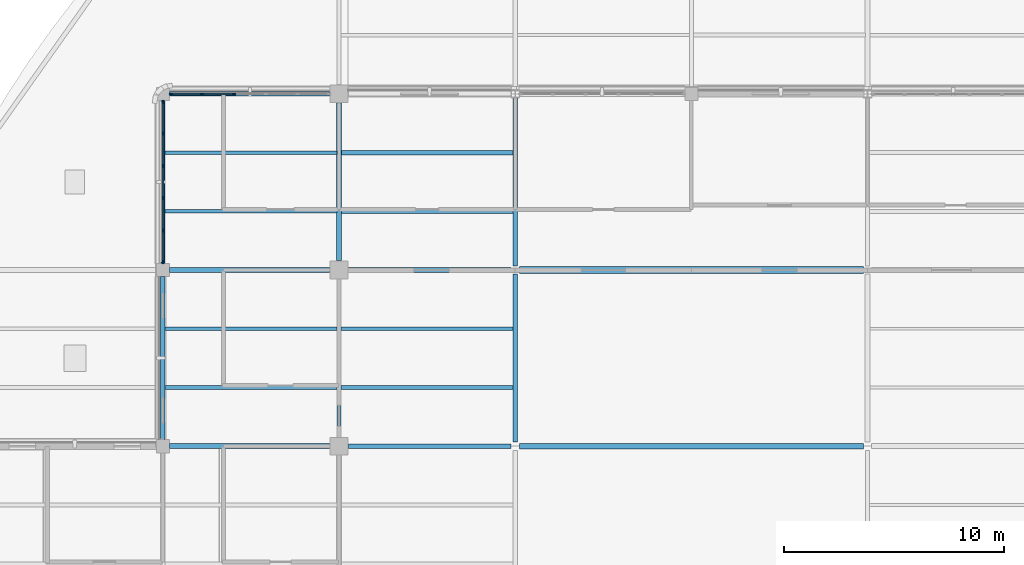
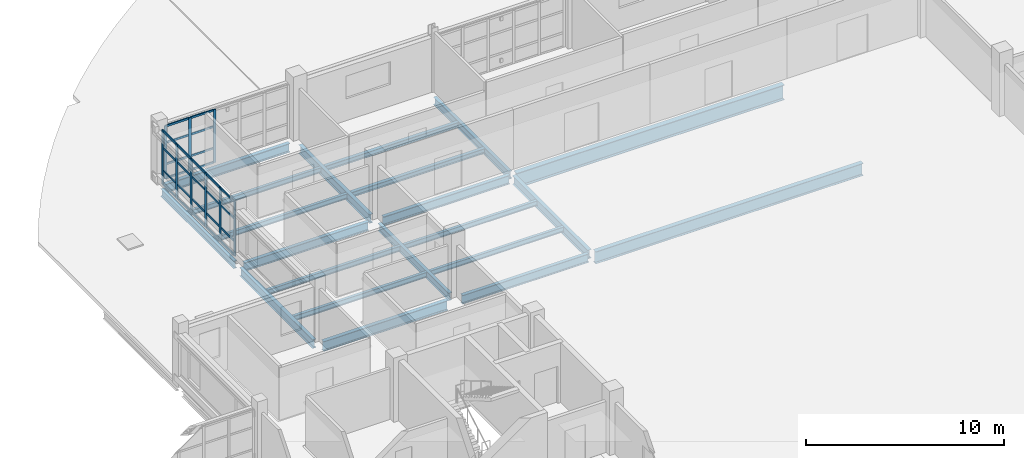
# One storey, part 39 of 126: 37 members, 21 beams, 2 elements without a shape of their own.
"""IFC4 building model written with IfcOpenShell, lengths in metres."""

from ifc_helpers import new_model, si_unit, derived_unit, direction, frame, origin, origin_2d, place, context, subcontext, project, spatial, rectangle, i_section, extrude, material, layer, layer_set, material_profile, profile_set, type_object, element, aggregate, save


model = new_model("IFC4")

# Units and contexts
model_context = context("Model", 3, precision=1e-05, world=origin(), true_north=direction((0.0, 1.0)))
body_context = subcontext(model_context, "Body", "Model", "MODEL_VIEW")
ifc_project = project(units=[si_unit("LENGTHUNIT", "METRE"), si_unit("AREAUNIT", "SQUARE_METRE"), si_unit("VOLUMEUNIT", "CUBIC_METRE"), si_unit("PLANEANGLEUNIT", "RADIAN"), si_unit("MASSUNIT", "GRAM", prefix="KILO"), derived_unit("THERMALTRANSMITTANCEUNIT", [(si_unit("MASSUNIT", "GRAM", prefix="KILO"), 1), (si_unit("TIMEUNIT", "SECOND"), -3), (si_unit("THERMODYNAMICTEMPERATUREUNIT", "KELVIN"), -1)])], contexts=[model_context])

# Site, building, storey
site_placement = place(None, origin())
site = spatial("IfcSite", under=ifc_project, at=site_placement, CompositionType="ELEMENT")
building_placement = place(site_placement, origin())
building = spatial("IfcBuilding", under=site, at=building_placement, Name="Veyamyaing Civic Hall", CompositionType="ELEMENT")
storey_placement = place(building_placement, frame((0.0, 0.0, 9.89990234375)))
storey = spatial("IfcBuildingStorey", under=building, at=storey_placement, Name="L02", CompositionType="ELEMENT", Elevation=9.89990234375)

# Beams
ifc_material_1 = material(Name="Steel ASTM A992", Category="steel")
ifc_material_profile_1 = material_profile(ifc_material_1, i_section(OverallWidth=0.303955078125, OverallDepth=0.923095703125, WebThickness=0.018310546875, FlangeThickness=0.030029296875, FilletRadius=0.01806640625, at=origin_2d()), Name="W920X271")
ifc_profile_set_1 = profile_set([ifc_material_profile_1], Name="Steel ASTM A992")
beam_type_1 = type_object("IfcBeamType", Name="B-01", PredefinedType="BEAM", material=ifc_profile_set_1)
beam_1_placement = place(storey_placement, frame((80.18701171875, 72.0, -0.746337890625), z_axis=(1.0, 0.0, 0.0), x_axis=(0.0, 1.0, 0.0)))
element("IfcBeam", 1, at=beam_1_placement, inside=storey, type_object=beam_type_1, Name="Girder B-01 L02 Grid K 11-13", PredefinedType="BEAM", context=body_context, shape_type="SweptSolid", body=[
    extrude(i_section(OverallWidth=0.303955078125, OverallDepth=0.923095703125, WebThickness=0.018310546875, FlangeThickness=0.030029296875, FilletRadius=0.01806640625, at=origin_2d()), origin(), (0.0, 0.0, 1.0), 15.6259765625),
])
ifc_material_profile_2 = material_profile(ifc_material_1, i_section(OverallWidth=0.22802734375, OverallDepth=0.60791015625, WebThickness=0.01123046875, FlangeThickness=0.017333984375, FilletRadius=0.012939453125, at=origin_2d()), Name="W610X113")
ifc_profile_set_2 = profile_set([ifc_material_profile_2], Name="Steel ASTM A992")
beam_type_2 = type_object("IfcBeamType", Name="B-06", PredefinedType="BEAM", material=ifc_profile_set_2)
beam_2_placement = place(storey_placement, frame((64.300048828125, 64.0, -0.5888671875), z_axis=(1.0, 0.0, 0.0), x_axis=(0.0, 1.0, 0.0)))
element("IfcBeam", 2, at=beam_2_placement, inside=storey, type_object=beam_type_2, Name="Girder B-06 L02 Grid J 9-10", PredefinedType="BEAM", context=body_context, shape_type="SweptSolid", body=[
    extrude(i_section(OverallWidth=0.22802734375, OverallDepth=0.60791015625, WebThickness=0.01123046875, FlangeThickness=0.017333984375, FilletRadius=0.012939453125, at=origin_2d()), origin(), (0.0, 0.0, 1.0), 7.27490234375),
])
ifc_material_profile_3 = material_profile(ifc_material_1, i_section(OverallWidth=0.208984375, OverallDepth=0.532958984375, WebThickness=0.01025390625, FlangeThickness=0.015625, FilletRadius=0.011962890625, at=origin_2d()), Name="W530X92")
ifc_profile_set_3 = profile_set([ifc_material_profile_3], Name="Steel ASTM A992")
beam_type_3 = type_object("IfcBeamType", Name="B-07", PredefinedType="BEAM", material=ifc_profile_set_3)
beam_3_placement = place(storey_placement, frame((72.425048828125, 64.0, -0.551513671875), z_axis=(1.0, 0.0, 0.0), x_axis=(0.0, 1.0, 0.0)))
element("IfcBeam", 3, at=beam_3_placement, inside=storey, type_object=beam_type_3, Name="Girder B-07 L02 Grid J 10-11", PredefinedType="BEAM", context=body_context, shape_type="SweptSolid", body=[
    extrude(i_section(OverallWidth=0.208984375, OverallDepth=0.532958984375, WebThickness=0.01025390625, FlangeThickness=0.015625, FilletRadius=0.011962890625, at=origin_2d()), origin(), (0.0, 0.0, 1.0), 7.387939453125),
])
beam_4_placement = place(storey_placement, frame((64.300048828125, 72.0, -0.551513671875), z_axis=(1.0, 0.0, 0.0), x_axis=(0.0, 1.0, 0.0)))
element("IfcBeam", 4, at=beam_4_placement, inside=storey, type_object=beam_type_3, Name="Girder B-07 L02 Grid K 9-10", PredefinedType="BEAM", context=body_context, shape_type="SweptSolid", body=[
    extrude(i_section(OverallWidth=0.208984375, OverallDepth=0.532958984375, WebThickness=0.01025390625, FlangeThickness=0.015625, FilletRadius=0.011962890625, at=origin_2d()), origin(), (0.0, 0.0, 1.0), 7.27490234375),
])
beam_5_placement = place(storey_placement, frame((64.0, 64.300048828125, -0.551513671875), z_axis=(0.0, 1.0, 0.0), x_axis=(-1.0, 0.0, 0.0)))
element("IfcBeam", 5, at=beam_5_placement, inside=storey, type_object=beam_type_3, Name="Girder B-07 L02 Grid 9 J-K", PredefinedType="BEAM", context=body_context, shape_type="SweptSolid", body=[
    extrude(i_section(OverallWidth=0.208984375, OverallDepth=0.532958984375, WebThickness=0.01025390625, FlangeThickness=0.015625, FilletRadius=0.011962890625, at=origin_2d()), origin(), (0.0, 0.0, 1.0), 7.39990234375),
])
ifc_material_profile_4 = material_profile(ifc_material_1, i_section(OverallWidth=0.19189453125, OverallDepth=0.462890625, WebThickness=0.010498046875, FlangeThickness=0.017578125, FilletRadius=0.010009765625, at=origin_2d()), Name="W460X89")
ifc_profile_set_4 = profile_set([ifc_material_profile_4], Name="Steel ASTM A992")
beam_type_4 = type_object("IfcBeamType", Name="B-08", PredefinedType="BEAM", material=ifc_profile_set_4)
beam_6_placement = place(storey_placement, frame((64.0, 72.300048828125, -0.516357421875), z_axis=(0.0, 1.0, 0.0), x_axis=(-1.0, 0.0, 0.0)))
element("IfcBeam", 6, at=beam_6_placement, inside=storey, type_object=beam_type_4, Name="Girder B-08 L02 Grid 9 K-L", PredefinedType="BEAM", context=body_context, shape_type="SweptSolid", body=[
    extrude(i_section(OverallWidth=0.19189453125, OverallDepth=0.462890625, WebThickness=0.010498046875, FlangeThickness=0.017578125, FilletRadius=0.010009765625, at=origin_2d()), origin(), (0.0, 0.0, 1.0), 7.39990234375),
])
beam_7_placement = place(storey_placement, frame((72.0, 64.425048828125, -0.516357421875), z_axis=(0.0, 1.0, 0.0), x_axis=(-1.0, 0.0, 0.0)))
element("IfcBeam", 7, at=beam_7_placement, inside=storey, type_object=beam_type_4, Name="Girder B-08 L02 Grid 10 J-K", PredefinedType="BEAM", context=body_context, shape_type="SweptSolid", body=[
    extrude(i_section(OverallWidth=0.19189453125, OverallDepth=0.462890625, WebThickness=0.010498046875, FlangeThickness=0.017578125, FilletRadius=0.010009765625, at=origin_2d()), origin(), (0.0, 0.0, 1.0), 7.14990234375),
])
ifc_material_profile_5 = material_profile(ifc_material_1, i_section(OverallWidth=0.26611328125, OverallDepth=0.758056640625, WebThickness=0.013916015625, FlangeThickness=0.019287109375, FilletRadius=0.01611328125, at=origin_2d()), Name="W760X161")
ifc_profile_set_5 = profile_set([ifc_material_profile_5], Name="Steel ASTM A992")
beam_type_5 = type_object("IfcBeamType", Name="B-13", PredefinedType="BEAM", material=ifc_profile_set_5)
beam_8_placement = place(storey_placement, frame((80.18701171875, 64.0, -0.663818359375), z_axis=(1.0, 0.0, 0.0), x_axis=(0.0, 1.0, 0.0)))
element("IfcBeam", 8, at=beam_8_placement, inside=storey, type_object=beam_type_5, Name="Girder B-13 L02 Grid J 11-13", PredefinedType="BEAM", context=body_context, shape_type="SweptSolid", body=[
    extrude(i_section(OverallWidth=0.26611328125, OverallDepth=0.758056640625, WebThickness=0.013916015625, FlangeThickness=0.019287109375, FilletRadius=0.01611328125, at=origin_2d()), origin(), (0.0, 0.0, 1.0), 15.6259765625),
])
ifc_material_profile_6 = material_profile(ifc_material_1, i_section(OverallWidth=0.214111328125, OverallDepth=0.549072265625, WebThickness=0.0146484375, FlangeThickness=0.023681640625, FilletRadius=0.011962890625, at=origin_2d()), Name="W530X138")
ifc_profile_set_6 = profile_set([ifc_material_profile_6], Name="Steel ASTM A992")
beam_type_6 = type_object("IfcBeamType", Name="B-16", PredefinedType="BEAM", material=ifc_profile_set_6)
beam_9_placement = place(storey_placement, frame((72.425048828125, 72.0, -0.559326171875), z_axis=(1.0, 0.0, 0.0), x_axis=(0.0, 1.0, 0.0)))
element("IfcBeam", 9, at=beam_9_placement, inside=storey, type_object=beam_type_6, Name="Girder B-16 L02 Grid K 10-11", PredefinedType="BEAM", context=body_context, shape_type="SweptSolid", body=[
    extrude(i_section(OverallWidth=0.214111328125, OverallDepth=0.549072265625, WebThickness=0.0146484375, FlangeThickness=0.023681640625, FilletRadius=0.011962890625, at=origin_2d()), origin(), (0.0, 0.0, 1.0), 7.387939453125),
])
beam_10_placement = place(storey_placement, frame((64.300048828125, 80.0, -0.559326171875), z_axis=(1.0, 0.0, 0.0), x_axis=(0.0, 1.0, 0.0)))
element("IfcBeam", 10, at=beam_10_placement, inside=storey, type_object=beam_type_6, Name="Girder B-16 L02 Grid L 9-10", PredefinedType="BEAM", context=body_context, shape_type="SweptSolid", body=[
    extrude(i_section(OverallWidth=0.214111328125, OverallDepth=0.549072265625, WebThickness=0.0146484375, FlangeThickness=0.023681640625, FilletRadius=0.011962890625, at=origin_2d()), origin(), (0.0, 0.0, 1.0), 7.27490234375),
])
ifc_material_profile_7 = material_profile(ifc_material_1, i_section(OverallWidth=0.2109375, OverallDepth=0.5390625, WebThickness=0.01171875, FlangeThickness=0.018798828125, FilletRadius=0.011962890625, at=origin_2d()), Name="W530X109")
ifc_profile_set_7 = profile_set([ifc_material_profile_7], Name="Steel ASTM A992")
beam_type_7 = type_object("IfcBeamType", Name="B-17", PredefinedType="BEAM", material=ifc_profile_set_7)
beam_11_placement = place(storey_placement, frame((72.0, 72.425048828125, -0.554443359375), z_axis=(0.0, 1.0, 0.0), x_axis=(-1.0, 0.0, 0.0)))
element("IfcBeam", 11, at=beam_11_placement, inside=storey, type_object=beam_type_7, Name="Girder B-17 L02 Grid 10 K-L", PredefinedType="BEAM", context=body_context, shape_type="SweptSolid", body=[
    extrude(i_section(OverallWidth=0.2109375, OverallDepth=0.5390625, WebThickness=0.01171875, FlangeThickness=0.018798828125, FilletRadius=0.011962890625, at=origin_2d()), origin(), (0.0, 0.0, 1.0), 7.14990234375),
])
beam_12_placement = place(storey_placement, frame((80.0, 64.18603515625, -0.554443359375), z_axis=(0.0, 1.0, 0.0), x_axis=(-1.0, 0.0, 0.0)))
element("IfcBeam", 12, at=beam_12_placement, inside=storey, type_object=beam_type_7, Name="Girder B-17 L02 Grid 11 J-K", PredefinedType="BEAM", context=body_context, shape_type="SweptSolid", body=[
    extrude(i_section(OverallWidth=0.2109375, OverallDepth=0.5390625, WebThickness=0.01171875, FlangeThickness=0.018798828125, FilletRadius=0.011962890625, at=origin_2d()), origin(), (0.0, 0.0, 1.0), 7.6279296875),
])
ifc_material_profile_8 = material_profile(ifc_material_1, i_section(OverallWidth=0.194091796875, OverallDepth=0.468994140625, WebThickness=0.0126953125, FlangeThickness=0.0205078125, FilletRadius=0.010009765625, at=origin_2d()), Name="W460X106")
ifc_profile_set_8 = profile_set([ifc_material_profile_8], Name="Steel ASTM A992")
beam_type_8 = type_object("IfcBeamType", Name="B-18", PredefinedType="BEAM", material=ifc_profile_set_8)
beam_13_placement = place(storey_placement, frame((80.0, 72.18603515625, -0.519287109375), z_axis=(0.0, 1.0, 0.0), x_axis=(-1.0, 0.0, 0.0)))
element("IfcBeam", 13, at=beam_13_placement, inside=storey, type_object=beam_type_8, Name="Girder B-18 L02 Grid 11 K-L", PredefinedType="BEAM", context=body_context, shape_type="SweptSolid", body=[
    extrude(i_section(OverallWidth=0.194091796875, OverallDepth=0.468994140625, WebThickness=0.0126953125, FlangeThickness=0.0205078125, FilletRadius=0.010009765625, at=origin_2d()), origin(), (0.0, 0.0, 1.0), 7.6279296875),
])

# Curtain wall, members
ifc_material_2 = material(Name="Anodised aluminium 6063-T6", Category="aluminium")
ifc_layer = layer(ifc_material_2, 0.159912109375, Name="Anodised aluminium 6063-T6")
ifc_layer_set = layer_set([ifc_layer], Name="Anodised aluminium 6063-T6")
curtain_wall_type = type_object("IfcCurtainWallType", Name="CW-03", PredefinedType="NOTDEFINED", material=ifc_layer_set)
curtain_wall_1_placement = place(storey_placement, origin())
curtain_wall_1 = element("IfcCurtainWall", 14, at=curtain_wall_1_placement, inside=storey, type_object=curtain_wall_type, Name="Unitized curtain wall CW-03 L02 N 9.10", PredefinedType="NOTDEFINED")
ifc_material_profile_9 = material_profile(ifc_material_2, rectangle(XDim=0.06494140625, YDim=0.159912109375, at=origin_2d()), Name="ALU-MUL-65X160")
ifc_profile_set_9 = profile_set([ifc_material_profile_9], Name="Anodised aluminium 6063-T6")
member_type_1 = type_object("IfcMemberType", Name="CWM-01", PredefinedType="MULLION", material=ifc_profile_set_9)
member_1_placement = place(storey_placement, frame((64.362548828125, 80.0, 0.0), z_axis=(0.0, 0.0, 1.0), x_axis=(0.0, 1.0, 0.0)))
member_1 = element("IfcMember", 15, at=member_1_placement, type_object=member_type_1, Name="CW-03 mullion 1", PredefinedType="MULLION", context=body_context, shape_type="SweptSolid", body=[
    extrude(rectangle(XDim=0.06494140625, YDim=0.159912109375, at=origin_2d()), origin(), (0.0, 0.0, 1.0), 3.280029296875),
])
member_2_placement = place(storey_placement, frame((65.778076171875, 80.0, 0.0), z_axis=(0.0, 0.0, 1.0), x_axis=(0.0, 1.0, 0.0)))
member_2 = element("IfcMember", 16, at=member_2_placement, type_object=member_type_1, Name="CW-03 mullion 2", PredefinedType="MULLION", context=body_context, shape_type="SweptSolid", body=[
    extrude(rectangle(XDim=0.06494140625, YDim=0.159912109375, at=origin_2d()), origin(), (0.0, 0.0, 1.0), 3.280029296875),
])
member_3_placement = place(storey_placement, frame((67.22607421875, 80.0, 0.0), z_axis=(0.0, 0.0, 1.0), x_axis=(0.0, 1.0, 0.0)))
member_3 = element("IfcMember", 17, at=member_3_placement, type_object=member_type_1, Name="CW-03 mullion 3", PredefinedType="MULLION", context=body_context, shape_type="SweptSolid", body=[
    extrude(rectangle(XDim=0.06494140625, YDim=0.159912109375, at=origin_2d()), origin(), (0.0, 0.0, 1.0), 3.280029296875),
])

curtain_wall_2_placement = place(storey_placement, origin())
curtain_wall_2 = element("IfcCurtainWall", 18, at=curtain_wall_2_placement, inside=storey, type_object=curtain_wall_type, Name="Unitized curtain wall CW-03 L02 W 9.10", PredefinedType="NOTDEFINED")
member_4_placement = place(storey_placement, frame((64.0, 72.362548828125, 0.0), z_axis=(0.0, 0.0, 1.0), x_axis=(-1.0, 0.0, 0.0)))
member_4 = element("IfcMember", 19, at=member_4_placement, type_object=member_type_1, Name="CW-03 mullion 1", PredefinedType="MULLION", context=body_context, shape_type="SweptSolid", body=[
    extrude(rectangle(XDim=0.06494140625, YDim=0.159912109375, at=origin_2d()), origin(), (0.0, 0.0, 1.0), 3.34716796875),
])
member_5_placement = place(storey_placement, frame((64.0, 73.798095703125, 0.0), z_axis=(0.0, 0.0, 1.0), x_axis=(-1.0, 0.0, 0.0)))
member_5 = element("IfcMember", 20, at=member_5_placement, type_object=member_type_1, Name="CW-03 mullion 2", PredefinedType="MULLION", context=body_context, shape_type="SweptSolid", body=[
    extrude(rectangle(XDim=0.06494140625, YDim=0.159912109375, at=origin_2d()), origin(), (0.0, 0.0, 1.0), 3.34716796875),
])
member_6_placement = place(storey_placement, frame((64.0, 75.26611328125, 0.0), z_axis=(0.0, 0.0, 1.0), x_axis=(-1.0, 0.0, 0.0)))
member_6 = element("IfcMember", 21, at=member_6_placement, type_object=member_type_1, Name="CW-03 mullion 3", PredefinedType="MULLION", context=body_context, shape_type="SweptSolid", body=[
    extrude(rectangle(XDim=0.06494140625, YDim=0.159912109375, at=origin_2d()), origin(), (0.0, 0.0, 1.0), 3.34716796875),
])
member_7_placement = place(storey_placement, frame((64.0, 76.73388671875, 0.0), z_axis=(0.0, 0.0, 1.0), x_axis=(-1.0, 0.0, 0.0)))
member_7 = element("IfcMember", 22, at=member_7_placement, type_object=member_type_1, Name="CW-03 mullion 4", PredefinedType="MULLION", context=body_context, shape_type="SweptSolid", body=[
    extrude(rectangle(XDim=0.06494140625, YDim=0.159912109375, at=origin_2d()), origin(), (0.0, 0.0, 1.0), 3.34716796875),
])
member_8_placement = place(storey_placement, frame((64.0, 78.201904296875, 0.0), z_axis=(0.0, 0.0, 1.0), x_axis=(-1.0, 0.0, 0.0)))
member_8 = element("IfcMember", 23, at=member_8_placement, type_object=member_type_1, Name="CW-03 mullion 5", PredefinedType="MULLION", context=body_context, shape_type="SweptSolid", body=[
    extrude(rectangle(XDim=0.06494140625, YDim=0.159912109375, at=origin_2d()), origin(), (0.0, 0.0, 1.0), 3.34716796875),
])
member_9_placement = place(storey_placement, frame((64.0, 79.637451171875, 0.0), z_axis=(0.0, 0.0, 1.0), x_axis=(-1.0, 0.0, 0.0)))
member_9 = element("IfcMember", 24, at=member_9_placement, type_object=member_type_1, Name="CW-03 mullion 6", PredefinedType="MULLION", context=body_context, shape_type="SweptSolid", body=[
    extrude(rectangle(XDim=0.06494140625, YDim=0.159912109375, at=origin_2d()), origin(), (0.0, 0.0, 1.0), 3.34716796875),
])

# Member
ifc_material_profile_10 = material_profile(ifc_material_2, rectangle(XDim=0.06494140625, YDim=0.1201171875, at=origin_2d()), Name="ALU-TRN-65X120")
ifc_profile_set_10 = profile_set([ifc_material_profile_10], Name="Anodised aluminium 6063-T6")
member_type_2 = type_object("IfcMemberType", Name="CWT-01", PredefinedType="USERDEFINED", material=ifc_profile_set_10)
member_10_placement = place(storey_placement, frame((64.39501953125, 80.0, 0.03271484375), z_axis=(1.0, 0.0, 0.0), x_axis=(0.0, 1.0, 0.0)))
member_10 = element("IfcMember", 25, at=member_10_placement, type_object=member_type_2, Name="CW-03 transom 1.1", ObjectType="TRANSOM", PredefinedType="USERDEFINED", context=body_context, shape_type="SweptSolid", body=[
    extrude(rectangle(XDim=0.06494140625, YDim=0.1201171875, at=origin_2d()), origin(), (0.0, 0.0, 1.0), 1.3505859375),
])

member_11_placement = place(storey_placement, frame((64.39501953125, 80.0, 0.900146484375), z_axis=(1.0, 0.0, 0.0), x_axis=(0.0, 1.0, 0.0)))
member_11 = element("IfcMember", 26, at=member_11_placement, type_object=member_type_2, Name="CW-03 transom 1.2", ObjectType="TRANSOM", PredefinedType="USERDEFINED", context=body_context, shape_type="SweptSolid", body=[
    extrude(rectangle(XDim=0.06494140625, YDim=0.1201171875, at=origin_2d()), origin(), (0.0, 0.0, 1.0), 1.3505859375),
])

member_12_placement = place(storey_placement, frame((64.39501953125, 80.0, 2.23046875), z_axis=(1.0, 0.0, 0.0), x_axis=(0.0, 1.0, 0.0)))
member_12 = element("IfcMember", 27, at=member_12_placement, type_object=member_type_2, Name="CW-03 transom 1.3", ObjectType="TRANSOM", PredefinedType="USERDEFINED", context=body_context, shape_type="SweptSolid", body=[
    extrude(rectangle(XDim=0.06494140625, YDim=0.1201171875, at=origin_2d()), origin(), (0.0, 0.0, 1.0), 1.3505859375),
])

member_13_placement = place(storey_placement, frame((64.39501953125, 80.0, 3.24755859375), z_axis=(1.0, 0.0, 0.0), x_axis=(0.0, 1.0, 0.0)))
member_13 = element("IfcMember", 28, at=member_13_placement, type_object=member_type_2, Name="CW-03 transom 1.4", ObjectType="TRANSOM", PredefinedType="USERDEFINED", context=body_context, shape_type="SweptSolid", body=[
    extrude(rectangle(XDim=0.06494140625, YDim=0.1201171875, at=origin_2d()), origin(), (0.0, 0.0, 1.0), 1.3505859375),
])

member_14_placement = place(storey_placement, frame((65.810546875, 80.0, 0.03271484375), z_axis=(1.0, 0.0, 0.0), x_axis=(0.0, 1.0, 0.0)))
member_14 = element("IfcMember", 29, at=member_14_placement, type_object=member_type_2, Name="CW-03 transom 2.1", ObjectType="TRANSOM", PredefinedType="USERDEFINED", context=body_context, shape_type="SweptSolid", body=[
    extrude(rectangle(XDim=0.06494140625, YDim=0.1201171875, at=origin_2d()), origin(), (0.0, 0.0, 1.0), 1.383056640625),
])

member_15_placement = place(storey_placement, frame((65.810546875, 80.0, 0.900146484375), z_axis=(1.0, 0.0, 0.0), x_axis=(0.0, 1.0, 0.0)))
member_15 = element("IfcMember", 30, at=member_15_placement, type_object=member_type_2, Name="CW-03 transom 2.2", ObjectType="TRANSOM", PredefinedType="USERDEFINED", context=body_context, shape_type="SweptSolid", body=[
    extrude(rectangle(XDim=0.06494140625, YDim=0.1201171875, at=origin_2d()), origin(), (0.0, 0.0, 1.0), 1.383056640625),
])

member_16_placement = place(storey_placement, frame((65.810546875, 80.0, 2.23046875), z_axis=(1.0, 0.0, 0.0), x_axis=(0.0, 1.0, 0.0)))
member_16 = element("IfcMember", 31, at=member_16_placement, type_object=member_type_2, Name="CW-03 transom 2.3", ObjectType="TRANSOM", PredefinedType="USERDEFINED", context=body_context, shape_type="SweptSolid", body=[
    extrude(rectangle(XDim=0.06494140625, YDim=0.1201171875, at=origin_2d()), origin(), (0.0, 0.0, 1.0), 1.383056640625),
])

member_17_placement = place(storey_placement, frame((65.810546875, 80.0, 3.24755859375), z_axis=(1.0, 0.0, 0.0), x_axis=(0.0, 1.0, 0.0)))
member_17 = element("IfcMember", 32, at=member_17_placement, type_object=member_type_2, Name="CW-03 transom 2.4", ObjectType="TRANSOM", PredefinedType="USERDEFINED", context=body_context, shape_type="SweptSolid", body=[
    extrude(rectangle(XDim=0.06494140625, YDim=0.1201171875, at=origin_2d()), origin(), (0.0, 0.0, 1.0), 1.383056640625),
])

aggregate(curtain_wall_1, [member_1, member_2, member_3, member_10, member_11, member_12, member_13, member_14, member_15, member_16, member_17])

member_18_placement = place(storey_placement, frame((64.0, 72.39501953125, 0.03271484375), z_axis=(0.0, 1.0, 0.0), x_axis=(-1.0, 0.0, 0.0)))
member_18 = element("IfcMember", 33, at=member_18_placement, type_object=member_type_2, Name="CW-03 transom 1.1", ObjectType="TRANSOM", PredefinedType="USERDEFINED", context=body_context, shape_type="SweptSolid", body=[
    extrude(rectangle(XDim=0.06494140625, YDim=0.1201171875, at=origin_2d()), origin(), (0.0, 0.0, 1.0), 1.370361328125),
])

member_19_placement = place(storey_placement, frame((64.0, 72.39501953125, 0.900146484375), z_axis=(0.0, 1.0, 0.0), x_axis=(-1.0, 0.0, 0.0)))
member_19 = element("IfcMember", 34, at=member_19_placement, type_object=member_type_2, Name="CW-03 transom 1.2", ObjectType="TRANSOM", PredefinedType="USERDEFINED", context=body_context, shape_type="SweptSolid", body=[
    extrude(rectangle(XDim=0.06494140625, YDim=0.1201171875, at=origin_2d()), origin(), (0.0, 0.0, 1.0), 1.370361328125),
])

member_20_placement = place(storey_placement, frame((64.0, 72.39501953125, 2.276123046875), z_axis=(0.0, 1.0, 0.0), x_axis=(-1.0, 0.0, 0.0)))
member_20 = element("IfcMember", 35, at=member_20_placement, type_object=member_type_2, Name="CW-03 transom 1.3", ObjectType="TRANSOM", PredefinedType="USERDEFINED", context=body_context, shape_type="SweptSolid", body=[
    extrude(rectangle(XDim=0.06494140625, YDim=0.1201171875, at=origin_2d()), origin(), (0.0, 0.0, 1.0), 1.370361328125),
])

member_21_placement = place(storey_placement, frame((64.0, 72.39501953125, 3.314697265625), z_axis=(0.0, 1.0, 0.0), x_axis=(-1.0, 0.0, 0.0)))
member_21 = element("IfcMember", 36, at=member_21_placement, type_object=member_type_2, Name="CW-03 transom 1.4", ObjectType="TRANSOM", PredefinedType="USERDEFINED", context=body_context, shape_type="SweptSolid", body=[
    extrude(rectangle(XDim=0.06494140625, YDim=0.1201171875, at=origin_2d()), origin(), (0.0, 0.0, 1.0), 1.370361328125),
])

member_22_placement = place(storey_placement, frame((64.0, 73.83056640625, 0.03271484375), z_axis=(0.0, 1.0, 0.0), x_axis=(-1.0, 0.0, 0.0)))
member_22 = element("IfcMember", 37, at=member_22_placement, type_object=member_type_2, Name="CW-03 transom 2.1", ObjectType="TRANSOM", PredefinedType="USERDEFINED", context=body_context, shape_type="SweptSolid", body=[
    extrude(rectangle(XDim=0.06494140625, YDim=0.1201171875, at=origin_2d()), origin(), (0.0, 0.0, 1.0), 1.40283203125),
])

member_23_placement = place(storey_placement, frame((64.0, 73.83056640625, 0.900146484375), z_axis=(0.0, 1.0, 0.0), x_axis=(-1.0, 0.0, 0.0)))
member_23 = element("IfcMember", 38, at=member_23_placement, type_object=member_type_2, Name="CW-03 transom 2.2", ObjectType="TRANSOM", PredefinedType="USERDEFINED", context=body_context, shape_type="SweptSolid", body=[
    extrude(rectangle(XDim=0.06494140625, YDim=0.1201171875, at=origin_2d()), origin(), (0.0, 0.0, 1.0), 1.40283203125),
])

member_24_placement = place(storey_placement, frame((64.0, 73.83056640625, 2.276123046875), z_axis=(0.0, 1.0, 0.0), x_axis=(-1.0, 0.0, 0.0)))
member_24 = element("IfcMember", 39, at=member_24_placement, type_object=member_type_2, Name="CW-03 transom 2.3", ObjectType="TRANSOM", PredefinedType="USERDEFINED", context=body_context, shape_type="SweptSolid", body=[
    extrude(rectangle(XDim=0.06494140625, YDim=0.1201171875, at=origin_2d()), origin(), (0.0, 0.0, 1.0), 1.40283203125),
])

member_25_placement = place(storey_placement, frame((64.0, 73.83056640625, 3.314697265625), z_axis=(0.0, 1.0, 0.0), x_axis=(-1.0, 0.0, 0.0)))
member_25 = element("IfcMember", 40, at=member_25_placement, type_object=member_type_2, Name="CW-03 transom 2.4", ObjectType="TRANSOM", PredefinedType="USERDEFINED", context=body_context, shape_type="SweptSolid", body=[
    extrude(rectangle(XDim=0.06494140625, YDim=0.1201171875, at=origin_2d()), origin(), (0.0, 0.0, 1.0), 1.40283203125),
])

member_26_placement = place(storey_placement, frame((64.0, 75.298583984375, 0.03271484375), z_axis=(0.0, 1.0, 0.0), x_axis=(-1.0, 0.0, 0.0)))
member_26 = element("IfcMember", 41, at=member_26_placement, type_object=member_type_2, Name="CW-03 transom 3.1", ObjectType="TRANSOM", PredefinedType="USERDEFINED", context=body_context, shape_type="SweptSolid", body=[
    extrude(rectangle(XDim=0.06494140625, YDim=0.1201171875, at=origin_2d()), origin(), (0.0, 0.0, 1.0), 1.40283203125),
])

member_27_placement = place(storey_placement, frame((64.0, 75.298583984375, 0.900146484375), z_axis=(0.0, 1.0, 0.0), x_axis=(-1.0, 0.0, 0.0)))
member_27 = element("IfcMember", 42, at=member_27_placement, type_object=member_type_2, Name="CW-03 transom 3.2", ObjectType="TRANSOM", PredefinedType="USERDEFINED", context=body_context, shape_type="SweptSolid", body=[
    extrude(rectangle(XDim=0.06494140625, YDim=0.1201171875, at=origin_2d()), origin(), (0.0, 0.0, 1.0), 1.40283203125),
])

member_28_placement = place(storey_placement, frame((64.0, 75.298583984375, 2.276123046875), z_axis=(0.0, 1.0, 0.0), x_axis=(-1.0, 0.0, 0.0)))
member_28 = element("IfcMember", 43, at=member_28_placement, type_object=member_type_2, Name="CW-03 transom 3.3", ObjectType="TRANSOM", PredefinedType="USERDEFINED", context=body_context, shape_type="SweptSolid", body=[
    extrude(rectangle(XDim=0.06494140625, YDim=0.1201171875, at=origin_2d()), origin(), (0.0, 0.0, 1.0), 1.40283203125),
])

member_29_placement = place(storey_placement, frame((64.0, 75.298583984375, 3.314697265625), z_axis=(0.0, 1.0, 0.0), x_axis=(-1.0, 0.0, 0.0)))
member_29 = element("IfcMember", 44, at=member_29_placement, type_object=member_type_2, Name="CW-03 transom 3.4", ObjectType="TRANSOM", PredefinedType="USERDEFINED", context=body_context, shape_type="SweptSolid", body=[
    extrude(rectangle(XDim=0.06494140625, YDim=0.1201171875, at=origin_2d()), origin(), (0.0, 0.0, 1.0), 1.40283203125),
])

member_30_placement = place(storey_placement, frame((64.0, 76.7666015625, 0.03271484375), z_axis=(0.0, 1.0, 0.0), x_axis=(-1.0, 0.0, 0.0)))
member_30 = element("IfcMember", 45, at=member_30_placement, type_object=member_type_2, Name="CW-03 transom 4.1", ObjectType="TRANSOM", PredefinedType="USERDEFINED", context=body_context, shape_type="SweptSolid", body=[
    extrude(rectangle(XDim=0.06494140625, YDim=0.1201171875, at=origin_2d()), origin(), (0.0, 0.0, 1.0), 1.40283203125),
])

member_31_placement = place(storey_placement, frame((64.0, 76.7666015625, 0.900146484375), z_axis=(0.0, 1.0, 0.0), x_axis=(-1.0, 0.0, 0.0)))
member_31 = element("IfcMember", 46, at=member_31_placement, type_object=member_type_2, Name="CW-03 transom 4.2", ObjectType="TRANSOM", PredefinedType="USERDEFINED", context=body_context, shape_type="SweptSolid", body=[
    extrude(rectangle(XDim=0.06494140625, YDim=0.1201171875, at=origin_2d()), origin(), (0.0, 0.0, 1.0), 1.40283203125),
])

member_32_placement = place(storey_placement, frame((64.0, 76.7666015625, 2.276123046875), z_axis=(0.0, 1.0, 0.0), x_axis=(-1.0, 0.0, 0.0)))
member_32 = element("IfcMember", 47, at=member_32_placement, type_object=member_type_2, Name="CW-03 transom 4.3", ObjectType="TRANSOM", PredefinedType="USERDEFINED", context=body_context, shape_type="SweptSolid", body=[
    extrude(rectangle(XDim=0.06494140625, YDim=0.1201171875, at=origin_2d()), origin(), (0.0, 0.0, 1.0), 1.40283203125),
])

member_33_placement = place(storey_placement, frame((64.0, 76.7666015625, 3.314697265625), z_axis=(0.0, 1.0, 0.0), x_axis=(-1.0, 0.0, 0.0)))
member_33 = element("IfcMember", 48, at=member_33_placement, type_object=member_type_2, Name="CW-03 transom 4.4", ObjectType="TRANSOM", PredefinedType="USERDEFINED", context=body_context, shape_type="SweptSolid", body=[
    extrude(rectangle(XDim=0.06494140625, YDim=0.1201171875, at=origin_2d()), origin(), (0.0, 0.0, 1.0), 1.40283203125),
])

member_34_placement = place(storey_placement, frame((64.0, 78.234619140625, 0.03271484375), z_axis=(0.0, 1.0, 0.0), x_axis=(-1.0, 0.0, 0.0)))
member_34 = element("IfcMember", 49, at=member_34_placement, type_object=member_type_2, Name="CW-03 transom 5.1", ObjectType="TRANSOM", PredefinedType="USERDEFINED", context=body_context, shape_type="SweptSolid", body=[
    extrude(rectangle(XDim=0.06494140625, YDim=0.1201171875, at=origin_2d()), origin(), (0.0, 0.0, 1.0), 1.370361328125),
])

member_35_placement = place(storey_placement, frame((64.0, 78.234619140625, 0.900146484375), z_axis=(0.0, 1.0, 0.0), x_axis=(-1.0, 0.0, 0.0)))
member_35 = element("IfcMember", 50, at=member_35_placement, type_object=member_type_2, Name="CW-03 transom 5.2", ObjectType="TRANSOM", PredefinedType="USERDEFINED", context=body_context, shape_type="SweptSolid", body=[
    extrude(rectangle(XDim=0.06494140625, YDim=0.1201171875, at=origin_2d()), origin(), (0.0, 0.0, 1.0), 1.370361328125),
])

member_36_placement = place(storey_placement, frame((64.0, 78.234619140625, 2.276123046875), z_axis=(0.0, 1.0, 0.0), x_axis=(-1.0, 0.0, 0.0)))
member_36 = element("IfcMember", 51, at=member_36_placement, type_object=member_type_2, Name="CW-03 transom 5.3", ObjectType="TRANSOM", PredefinedType="USERDEFINED", context=body_context, shape_type="SweptSolid", body=[
    extrude(rectangle(XDim=0.06494140625, YDim=0.1201171875, at=origin_2d()), origin(), (0.0, 0.0, 1.0), 1.370361328125),
])

member_37_placement = place(storey_placement, frame((64.0, 78.234619140625, 3.314697265625), z_axis=(0.0, 1.0, 0.0), x_axis=(-1.0, 0.0, 0.0)))
member_37 = element("IfcMember", 52, at=member_37_placement, type_object=member_type_2, Name="CW-03 transom 5.4", ObjectType="TRANSOM", PredefinedType="USERDEFINED", context=body_context, shape_type="SweptSolid", body=[
    extrude(rectangle(XDim=0.06494140625, YDim=0.1201171875, at=origin_2d()), origin(), (0.0, 0.0, 1.0), 1.370361328125),
])

aggregate(curtain_wall_2, [member_4, member_5, member_6, member_7, member_8, member_9, member_18, member_19, member_20, member_21, member_22, member_23, member_24, member_25, member_26, member_27, member_28, member_29, member_30, member_31, member_32, member_33, member_34, member_35, member_36, member_37])

# Beams
ifc_material_profile_11 = material_profile(ifc_material_1, i_section(OverallWidth=0.1669921875, OverallDepth=0.318115234375, WebThickness=0.007568359375, FlangeThickness=0.01318359375, FilletRadius=0.010009765625, at=origin_2d()), Name="W310X52")
ifc_profile_set_11 = profile_set([ifc_material_profile_11], Name="Steel ASTM A992")
beam_type_9 = type_object("IfcBeamType", Name="J-04", PredefinedType="JOIST", material=ifc_profile_set_11)
for number, where, z_axis, x_axis, name in (
    (53, (64.1025390625, 66.666748046875, -0.44384765625), (1.0, 0.0, 0.0), (0.0, 1.0, 0.0), "Composite floor joist J-04 L02 9.9.1"),
    (54, (64.1025390625, 69.333251953125, -0.44384765625), (1.0, 0.0, 0.0), (0.0, 1.0, 0.0), "Composite floor joist J-04 L02 9.9.2"),
):
    element("IfcBeam", number, at=place(storey_placement, frame(where, z_axis=z_axis, x_axis=x_axis)), inside=storey, type_object=beam_type_9, Name=name, PredefinedType="JOIST", context=body_context, shape_type="SweptSolid", body=[
        extrude(i_section(OverallWidth=0.1669921875, OverallDepth=0.318115234375, WebThickness=0.007568359375, FlangeThickness=0.01318359375, FilletRadius=0.010009765625, at=origin_2d()), origin(), (0.0, 0.0, 1.0), 7.803466796875),
    ])
ifc_material_profile_12 = material_profile(ifc_material_1, i_section(OverallWidth=0.1650390625, OverallDepth=0.31005859375, WebThickness=0.005859375, FlangeThickness=0.009765625, FilletRadius=0.010009765625, at=origin_2d()), Name="W310X39")
ifc_profile_set_12 = profile_set([ifc_material_profile_12], Name="Steel ASTM A992")
beam_type_10 = type_object("IfcBeamType", Name="J-05", PredefinedType="JOIST", material=ifc_profile_set_12)
for number, where, z_axis, x_axis, name in (
    (55, (64.093994140625, 74.666748046875, -0.43994140625), (1.0, 0.0, 0.0), (0.0, 1.0, 0.0), "Composite floor joist J-05 L02 9.10.1"),
    (56, (64.093994140625, 77.333251953125, -0.43994140625), (1.0, 0.0, 0.0), (0.0, 1.0, 0.0), "Composite floor joist J-05 L02 9.10.2"),
    (57, (72.093994140625, 66.666748046875, -0.43994140625), (1.0, 0.0, 0.0), (0.0, 1.0, 0.0), "Composite floor joist J-05 L02 10.9.1"),
    (58, (72.093994140625, 69.333251953125, -0.43994140625), (1.0, 0.0, 0.0), (0.0, 1.0, 0.0), "Composite floor joist J-05 L02 10.9.2"),
):
    element("IfcBeam", number, at=place(storey_placement, frame(where, z_axis=z_axis, x_axis=x_axis)), inside=storey, type_object=beam_type_10, Name=name, PredefinedType="JOIST", context=body_context, shape_type="SweptSolid", body=[
        extrude(i_section(OverallWidth=0.1650390625, OverallDepth=0.31005859375, WebThickness=0.005859375, FlangeThickness=0.009765625, FilletRadius=0.010009765625, at=origin_2d()), origin(), (0.0, 0.0, 1.0), 7.802490234375),
    ])
ifc_material_profile_13 = material_profile(ifc_material_1, i_section(OverallWidth=0.2041015625, OverallDepth=0.305908203125, WebThickness=0.008544921875, FlangeThickness=0.0146484375, FilletRadius=0.010009765625, at=origin_2d()), Name="W310X67")
ifc_profile_set_13 = profile_set([ifc_material_profile_13], Name="Steel ASTM A992")
beam_type_11 = type_object("IfcBeamType", Name="J-06", PredefinedType="JOIST", material=ifc_profile_set_13)
for number, where, z_axis, x_axis, name in (
    (59, (72.103515625, 74.666748046875, -0.43798828125), (1.0, 0.0, 0.0), (0.0, 1.0, 0.0), "Composite floor joist J-06 L02 10.10.1"),
    (60, (72.103515625, 77.333251953125, -0.43798828125), (1.0, 0.0, 0.0), (0.0, 1.0, 0.0), "Composite floor joist J-06 L02 10.10.2"),
):
    element("IfcBeam", number, at=place(storey_placement, frame(where, z_axis=z_axis, x_axis=x_axis)), inside=storey, type_object=beam_type_11, Name=name, PredefinedType="JOIST", context=body_context, shape_type="SweptSolid", body=[
        extrude(i_section(OverallWidth=0.2041015625, OverallDepth=0.305908203125, WebThickness=0.008544921875, FlangeThickness=0.0146484375, FilletRadius=0.010009765625, at=origin_2d()), origin(), (0.0, 0.0, 1.0), 7.801513671875),
    ])

save(model, "model.ifc")
